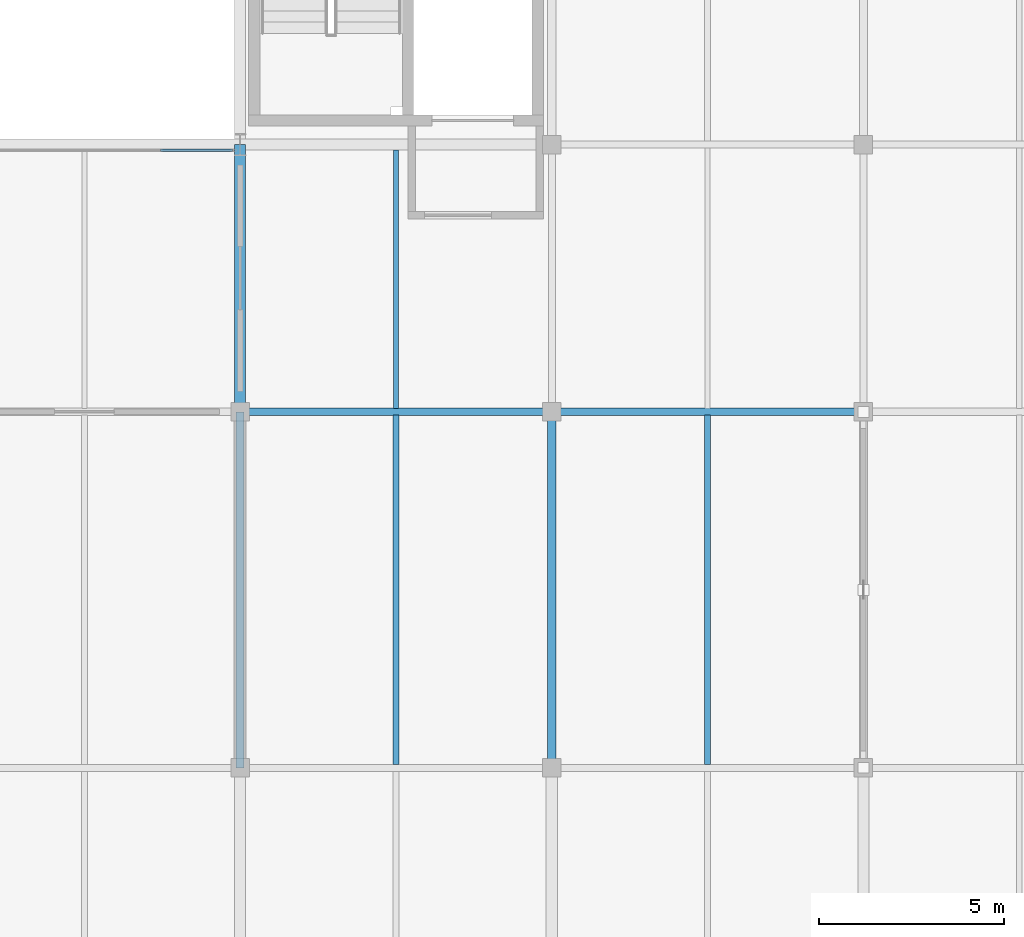
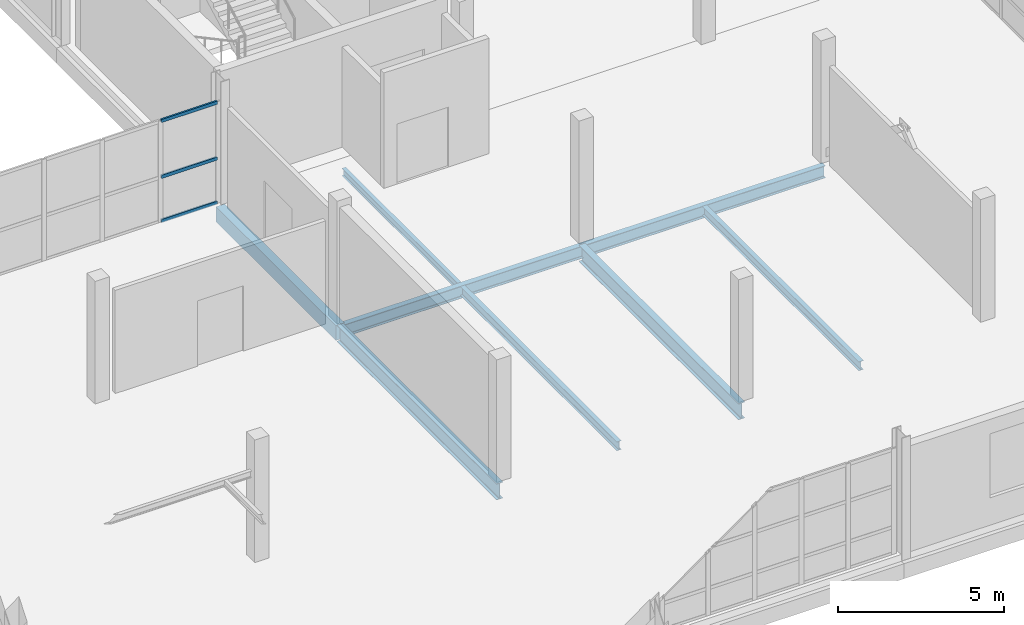
# One storey, part 68 of 109: 8 beams, 3 members, 1 element without a shape of its own.
"""IFC4 building model written with IfcOpenShell, lengths in metres."""

from ifc_helpers import new_model, si_unit, direction, frame, origin, origin_2d, place, context, subcontext, project, spatial, rectangle, hollow_rectangle, i_section, extrude, material, material_profile, profile_set, type_object, element, aggregate, save


model = new_model("IFC4")

# Units and contexts
model_context = context("Model", 3, precision=1e-05, world=origin(), true_north=direction((0.0, 1.0)))
body_context = subcontext(model_context, "Body", "Model", "MODEL_VIEW")
ifc_project = project(units=[si_unit("LENGTHUNIT", "METRE"), si_unit("AREAUNIT", "SQUARE_METRE"), si_unit("VOLUMEUNIT", "CUBIC_METRE"), si_unit("PLANEANGLEUNIT", "RADIAN"), si_unit("MASSUNIT", "GRAM", prefix="KILO")], contexts=[model_context])

# Site, building, storey
site_placement = place(None, origin())
site = spatial("IfcSite", under=ifc_project, at=site_placement, CompositionType="ELEMENT")
building_placement = place(site_placement, origin())
building = spatial("IfcBuilding", under=site, at=building_placement, Name="Veltarok Museum of Natural Sciences", CompositionType="ELEMENT")
storey_placement = place(building_placement, frame((0.0, 0.0, 17.39990234375)))
storey = spatial("IfcBuildingStorey", under=building, at=storey_placement, Name="L03", CompositionType="ELEMENT", Elevation=17.39990234375)

# Curtain wall, members
ifc_material_1 = material(Name="Low-iron triple insulated glass", Category="glass")
curtain_wall_type = type_object("IfcCurtainWallType", Name="Curtain Wall System CW-V5CN-L03-3-810x373 (CW-V5CN L03 810x373cm)", PredefinedType="NOTDEFINED", material=ifc_material_1)
curtain_wall_placement = place(storey_placement, origin())
curtain_wall = element("IfcCurtainWall", 1, at=curtain_wall_placement, inside=storey, type_object=curtain_wall_type, Name="Curtain Wall CW-V5CN-L03-3-810x373 CW-0195", PredefinedType="NOTDEFINED")
ifc_material_2 = material(Name="Thermally broken anodised aluminium", Category="aluminium")
ifc_material_profile_1 = material_profile(ifc_material_2, hollow_rectangle(XDim=0.06005859375, YDim=0.1201171875, WallThickness=0.0048828125, at=origin_2d()), Name="CW TRANSOM 60x120x5")
ifc_profile_set_1 = profile_set([ifc_material_profile_1], Name="Thermally broken anodised aluminium")
member_type = type_object("IfcMemberType", Name="Curtain Wall Horizontal Transom 60x120x5", PredefinedType="USERDEFINED", material=ifc_profile_set_1)
member_1_placement = place(storey_placement, frame((132.18994140625, 26.25, 0.028076171875), z_axis=(-1.0, 0.0, 0.0), x_axis=(0.0, -1.0, 0.0)))
member_1 = element("IfcMember", 2, at=member_1_placement, type_object=member_type, Name="CW-V5CN-L03-3-810x373 transom 1.1", ObjectType="TRANSOM", PredefinedType="USERDEFINED", context=body_context, shape_type="SweptSolid", body=[
    extrude(hollow_rectangle(XDim=0.06005859375, YDim=0.1201171875, WallThickness=0.0048828125, at=origin_2d()), origin(), (0.0, 0.0, 1.0), 1.93505859375),
])
member_2_placement = place(storey_placement, frame((132.18994140625, 26.25, 1.648193359375), z_axis=(-1.0, 0.0, 0.0), x_axis=(0.0, -1.0, 0.0)))
member_2 = element("IfcMember", 3, at=member_2_placement, type_object=member_type, Name="CW-V5CN-L03-3-810x373 transom 1.2", ObjectType="TRANSOM", PredefinedType="USERDEFINED", context=body_context, shape_type="SweptSolid", body=[
    extrude(hollow_rectangle(XDim=0.06005859375, YDim=0.1201171875, WallThickness=0.0048828125, at=origin_2d()), origin(), (0.0, 0.0, 1.0), 1.93505859375),
])
member_3_placement = place(storey_placement, frame((132.18994140625, 26.25, 3.7001953125), z_axis=(-1.0, 0.0, 0.0), x_axis=(0.0, -1.0, 0.0)))
member_3 = element("IfcMember", 4, at=member_3_placement, type_object=member_type, Name="CW-V5CN-L03-3-810x373 transom 1.3", ObjectType="TRANSOM", PredefinedType="USERDEFINED", context=body_context, shape_type="SweptSolid", body=[
    extrude(hollow_rectangle(XDim=0.06005859375, YDim=0.1201171875, WallThickness=0.0048828125, at=origin_2d()), origin(), (0.0, 0.0, 1.0), 1.93505859375),
])
aggregate(curtain_wall, [member_1, member_2, member_3])

# Beams
ifc_material_3 = material(Name="Precast concrete C40/50", Category="concrete")
ifc_material_profile_2 = material_profile(ifc_material_3, rectangle(XDim=0.300048828125, YDim=0.550048828125, at=origin_2d()), Name="RC 300x550")
ifc_profile_set_2 = profile_set([ifc_material_profile_2], Name="Precast concrete C40/50")
beam_type_1 = type_object("IfcBeamType", Name="East Wing Precast Spandrel RC 300x550", PredefinedType="SPANDREL", material=ifc_profile_set_2)
beam_1_placement = place(storey_placement, frame((132.39990234375, 19.199951171875, -0.52490234375), z_axis=(0.0, 1.0, 0.0), x_axis=(-1.0, 0.0, 0.0)))
element("IfcBeam", 5, at=beam_1_placement, inside=storey, type_object=beam_type_1, Name="Beam BM-SP02 L03 16/C-D", PredefinedType="SPANDREL", context=body_context, shape_type="SweptSolid", body=[
    extrude(rectangle(XDim=0.300048828125, YDim=0.550048828125, at=origin_2d()), origin(), (0.0, 0.0, 1.0), 7.199951171875),
])
ifc_material_4 = material(Name="Steel S355J2", Category="steel")
ifc_material_profile_3 = material_profile(ifc_material_4, i_section(OverallWidth=0.18994140625, OverallDepth=0.449951171875, WebThickness=0.009521484375, FlangeThickness=0.0146484375, FilletRadius=0.02099609375, at=origin_2d()), Name="IPE 450")
ifc_profile_set_3 = profile_set([ifc_material_profile_3], Name="Steel S355J2")
beam_type_2 = type_object("IfcBeamType", Name="Laboratory Floor Girder IPE 450", PredefinedType="BEAM", material=ifc_profile_set_3)
beam_2_placement = place(storey_placement, frame((132.39990234375, 19.199951171875, -0.474853515625), z_axis=(1.0, 0.0, 0.0), x_axis=(0.0, 1.0, 0.0)))
element("IfcBeam", 6, at=beam_2_placement, inside=storey, type_object=beam_type_2, Name="Beam BM-G05 L03 16-17/C", PredefinedType="BEAM", context=body_context, shape_type="SweptSolid", body=[
    extrude(i_section(OverallWidth=0.18994140625, OverallDepth=0.449951171875, WebThickness=0.009521484375, FlangeThickness=0.0146484375, FilletRadius=0.02099609375, at=origin_2d()), origin(), (0.0, 0.0, 1.0), 8.400146484375),
])
beam_3_placement = place(storey_placement, frame((140.800048828125, 19.199951171875, -0.474853515625), z_axis=(1.0, 0.0, 0.0), x_axis=(0.0, 1.0, 0.0)))
element("IfcBeam", 7, at=beam_3_placement, inside=storey, type_object=beam_type_2, Name="Beam BM-G05 L03 17-18/C", PredefinedType="BEAM", context=body_context, shape_type="SweptSolid", body=[
    extrude(i_section(OverallWidth=0.18994140625, OverallDepth=0.449951171875, WebThickness=0.009521484375, FlangeThickness=0.0146484375, FilletRadius=0.02099609375, at=origin_2d()), origin(), (0.0, 0.0, 1.0), 8.39990234375),
])
ifc_material_profile_4 = material_profile(ifc_material_4, i_section(OverallWidth=0.159912109375, OverallDepth=0.330078125, WebThickness=0.007568359375, FlangeThickness=0.011474609375, FilletRadius=0.01806640625, at=origin_2d()), Name="IPE 330")
ifc_profile_set_4 = profile_set([ifc_material_profile_4], Name="Steel S355J2")
beam_type_3 = type_object("IfcBeamType", Name="Medium-Bay Composite Joist IPE 330", PredefinedType="JOIST", material=ifc_profile_set_4)
for number, where, z_axis, x_axis, name in (
    (8, (136.60009765625, 9.693115234375, -0.414794921875), (0.0, 1.0, 0.0), (-1.0, 0.0, 0.0), "Secondary Joist BM-J02 L03 16-17/B-C.1"),
    (9, (145.0, 9.693115234375, -0.414794921875), (0.0, 1.0, 0.0), (-1.0, 0.0, 0.0), "Secondary Joist BM-J02 L03 17-18/B-C.1"),
):
    element("IfcBeam", number, at=place(storey_placement, frame(where, z_axis=z_axis, x_axis=x_axis)), inside=storey, type_object=beam_type_3, Name=name, PredefinedType="JOIST", context=body_context, shape_type="SweptSolid", body=[
        extrude(i_section(OverallWidth=0.159912109375, OverallDepth=0.330078125, WebThickness=0.007568359375, FlangeThickness=0.011474609375, FilletRadius=0.01806640625, at=origin_2d()), origin(), (0.0, 0.0, 1.0), 9.413818359375),
    ])
ifc_material_profile_5 = material_profile(ifc_material_4, i_section(OverallWidth=0.219970703125, OverallDepth=0.60009765625, WebThickness=0.011962890625, FlangeThickness=0.01904296875, FilletRadius=0.02392578125, at=origin_2d()), Name="IPE 600")
ifc_profile_set_5 = profile_set([ifc_material_profile_5], Name="Steel S355J2")
beam_type_4 = type_object("IfcBeamType", Name="Primary Museum Girder IPE 600", PredefinedType="BEAM", material=ifc_profile_set_5)
for number, where, z_axis, x_axis, name in (
    (10, (132.39990234375, 9.60009765625, -0.5498046875), (0.0, 1.0, 0.0), (-1.0, 0.0, 0.0), "Beam BM-G02 L03 16/B-C"),
    (11, (140.800048828125, 9.60009765625, -0.5498046875), (0.0, 1.0, 0.0), (-1.0, 0.0, 0.0), "Beam BM-G02 L03 17/B-C"),
):
    element("IfcBeam", number, at=place(storey_placement, frame(where, z_axis=z_axis, x_axis=x_axis)), inside=storey, type_object=beam_type_4, Name=name, PredefinedType="BEAM", context=body_context, shape_type="SweptSolid", body=[
        extrude(i_section(OverallWidth=0.219970703125, OverallDepth=0.60009765625, WebThickness=0.011962890625, FlangeThickness=0.01904296875, FilletRadius=0.02392578125, at=origin_2d()), origin(), (0.0, 0.0, 1.0), 9.599853515625),
    ])
ifc_material_profile_6 = material_profile(ifc_material_4, i_section(OverallWidth=0.135009765625, OverallDepth=0.27001953125, WebThickness=0.006591796875, FlangeThickness=0.01025390625, FilletRadius=0.014892578125, at=origin_2d()), Name="IPE 270")
ifc_profile_set_6 = profile_set([ifc_material_profile_6], Name="Steel S355J2")
beam_type_5 = type_object("IfcBeamType", Name="Short-Bay Composite Joist IPE 270", PredefinedType="JOIST", material=ifc_profile_set_6)
beam_4_placement = place(storey_placement, frame((136.60009765625, 19.29296875, -0.385009765625), z_axis=(0.0, 1.0, 0.0), x_axis=(-1.0, 0.0, 0.0)))
element("IfcBeam", 12, at=beam_4_placement, inside=storey, type_object=beam_type_5, Name="Secondary Joist BM-J04 L03 16-17/C-D.1", PredefinedType="JOIST", context=body_context, shape_type="SweptSolid", body=[
    extrude(i_section(OverallWidth=0.135009765625, OverallDepth=0.27001953125, WebThickness=0.006591796875, FlangeThickness=0.01025390625, FilletRadius=0.014892578125, at=origin_2d()), origin(), (0.0, 0.0, 1.0), 6.958984375),
])

save(model, "model.ifc")
